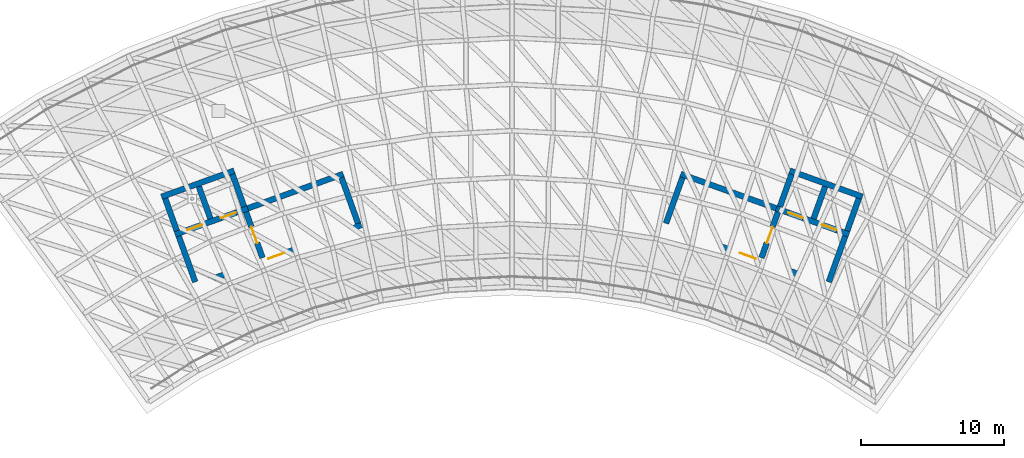
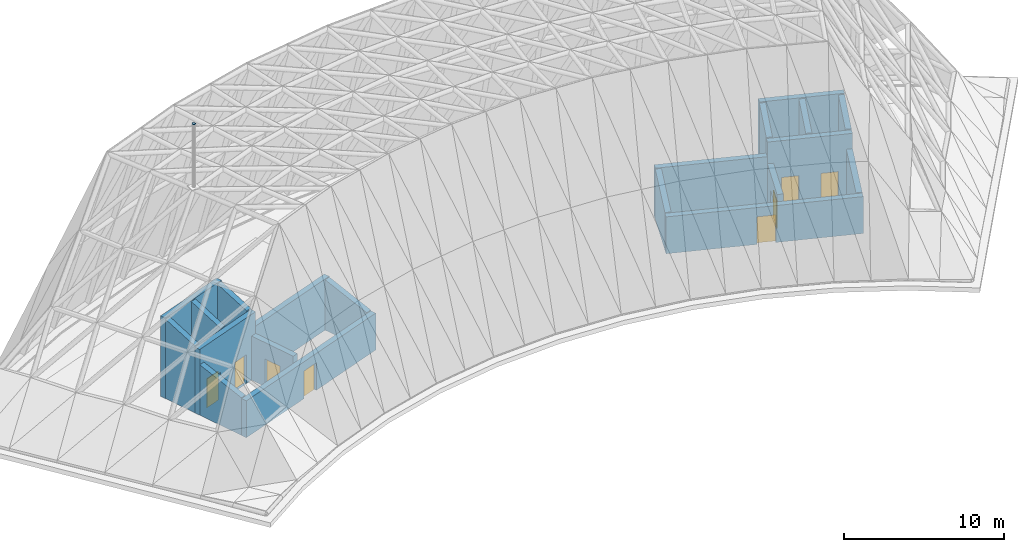
# One storey, part 20 of 20: 20 walls, 8 doors, 1 plate, 8 openings.
"""IFC4 building model written with IfcOpenShell, lengths in metres."""

from ifc_helpers import new_model, si_unit, direction, frame, frame_2d, origin, place, context, subcontext, project, spatial, polyline, rectangle, outline, extrude, material, layer, layer_set, type_object, element, fill, save


model = new_model("IFC4")

# Units and contexts
model_context = context("Model", 3, precision=1e-05, world=origin(), true_north=direction((0.0, 1.0)))
body_context = subcontext(model_context, "Body", "Model", "MODEL_VIEW")
ifc_project = project(units=[si_unit("LENGTHUNIT", "METRE"), si_unit("AREAUNIT", "SQUARE_METRE"), si_unit("VOLUMEUNIT", "CUBIC_METRE"), si_unit("PLANEANGLEUNIT", "RADIAN"), si_unit("MASSUNIT", "GRAM", prefix="KILO")], contexts=[model_context])

# Site, building, storey
site_placement = place(None, origin())
site = spatial("IfcSite", under=ifc_project, at=site_placement, CompositionType="ELEMENT")
building_placement = place(site_placement, origin())
building = spatial("IfcBuilding", under=site, at=building_placement, Name="Stone Belt Terrace Tower", CompositionType="ELEMENT")
storey_placement = place(building_placement, frame((0.0, 0.0, 337.39990234375)))
storey = spatial("IfcBuildingStorey", under=building, at=storey_placement, Name="RF", CompositionType="ELEMENT", Elevation=337.39990234375)

# Plate
ifc_material_1 = material(Name="Structural steel C345", Category="steel")
ifc_layer_1 = layer(ifc_material_1, 0.010009765625)
ifc_layer_set_1 = layer_set([ifc_layer_1], Name="Spire cap plate 10")
plate_type = type_object("IfcPlateType", Name="Spire cap plate 10", PredefinedType="SHEET", material=ifc_layer_set_1)
plate_placement = place(storey_placement, frame((0.0, 0.0, 20.16259765625)))
element("IfcPlate", 1, at=plate_placement, inside=storey, type_object=plate_type, Name="SPIRE cap plate", PredefinedType="SHEET", context=body_context, shape_type="SweptSolid", body=[
    extrude(outline(polyline([(-22.260986328125, 50.2451171875), (-22.269287109375, 50.286865234375), (-22.29296875, 50.322509765625), (-22.32861328125, 50.34619140625), (-22.37060546875, 50.3544921875), (-22.412353515625, 50.34619140625), (-22.447998046875, 50.322509765625), (-22.4716796875, 50.286865234375), (-22.47998046875, 50.2451171875), (-22.4716796875, 50.203125), (-22.447998046875, 50.16748046875), (-22.412353515625, 50.143798828125), (-22.37060546875, 50.135498046875), (-22.32861328125, 50.143798828125), (-22.29296875, 50.16748046875), (-22.269287109375, 50.203125), (-22.260986328125, 50.2451171875)])), origin(), (0.0, 0.0, 1.0), 0.010009765625),
])

# Wall, openings, doors
ifc_material_2 = material(Name="Concrete B80", Category="concrete")
ifc_layer_2 = layer(ifc_material_2, 0.39990234375)
ifc_layer_set_2 = layer_set([ifc_layer_2], Name="Fire-fighting lift shaft wall 400")
wall_type_1 = type_object("IfcWallType", Name="Fire-fighting lift shaft wall 400", PredefinedType="SHEAR", material=ifc_layer_set_2)
wall_1_placement = place(storey_placement, frame((-23.558837890625, 47.742919921875, 0.0), z_axis=(0.0, 0.0, 1.0), x_axis=(0.940920834877, 0.338626612206, 0.0)))
wall_1 = element("IfcWall", 2, at=wall_1_placement, inside=storey, type_object=wall_type_1, Name="Fire-fighting shaft A wall", PredefinedType="SHEAR", context=body_context, shape_type="SweptSolid", body=[
    extrude(rectangle(XDim=5.400146484375, YDim=0.39990234375, at=frame_2d((2.7001953125, 0.0))), origin(), (0.0, 0.0, 1.0), 5.0),
])
opening_1_placement = place(wall_1_placement, frame((0.89990234375, 0.0, 0.0)))
opening_1 = element("IfcOpeningElement", 3, at=opening_1_placement, cuts=wall_1, Name="Opening RF-LD01", PredefinedType="OPENING", context=body_context, shape_type="SweptSolid", body=[
    extrude(rectangle(XDim=1.10009765625, YDim=2.199951171875, at=frame_2d((0.550048828125, 1.10009765625))), frame((0.0, 0.2099609375, 0.0), z_axis=(0.0, -1.0, 0.0), x_axis=(1.0, 0.0, 0.0)), (0.0, 0.0, 1.0), 0.419921875),
])
opening_2_placement = place(wall_1_placement, frame((3.39990234375, 0.0, 0.0)))
opening_2 = element("IfcOpeningElement", 4, at=opening_2_placement, cuts=wall_1, Name="Opening RF-LD02", PredefinedType="OPENING", context=body_context, shape_type="SweptSolid", body=[
    extrude(rectangle(XDim=1.10009765625, YDim=2.199951171875, at=frame_2d((0.550048828125, 1.10009765625))), frame((0.0, 0.2099609375, 0.0), z_axis=(0.0, -1.0, 0.0), x_axis=(1.0, 0.0, 0.0)), (0.0, 0.0, 1.0), 0.419921875),
])
ifc_material_3 = material(Name="Stainless steel door leaf", Category="steel")
door_type_1 = type_object("IfcDoorType", Name="Landing door 1100", OperationType="SLIDING_TO_LEFT", PredefinedType="DOOR", material=ifc_material_3)
door_1_placement = place(opening_1_placement, origin())
door_1 = element("IfcDoor", 5, at=door_1_placement, inside=storey, type_object=door_type_1, Name="Landing door FF1 core A", OperationType="SLIDING_TO_LEFT", OverallHeight=2.199951171875, OverallWidth=1.10009765625, PredefinedType="DOOR", context=body_context, shape_type="SweptSolid", body=[
    extrude(rectangle(XDim=1.10009765625, YDim=2.199951171875, at=frame_2d((0.550048828125, 1.10009765625))), frame((0.0, 0.02490234375, 0.0), z_axis=(0.0, -1.0, 0.0), x_axis=(1.0, 0.0, 0.0)), (0.0, 0.0, 1.0), 0.050048828125),
])
fill(opening_1, door_1)
door_2_placement = place(opening_2_placement, origin())
door_2 = element("IfcDoor", 6, at=door_2_placement, inside=storey, type_object=door_type_1, Name="Landing door FF2 core A", OperationType="SLIDING_TO_LEFT", OverallHeight=2.199951171875, OverallWidth=1.10009765625, PredefinedType="DOOR", context=body_context, shape_type="SweptSolid", body=[
    extrude(rectangle(XDim=1.10009765625, YDim=2.199951171875, at=frame_2d((0.550048828125, 1.10009765625))), frame((0.0, 0.02490234375, 0.0), z_axis=(0.0, -1.0, 0.0), x_axis=(1.0, 0.0, 0.0)), (0.0, 0.0, 1.0), 0.050048828125),
])
fill(opening_2, door_2)

# Walls
wall_2_placement = place(storey_placement, frame((-24.5068359375, 50.377685546875, 0.0), z_axis=(0.0, 0.0, 1.0), x_axis=(0.940920834877, 0.338626612206, 0.0)))
element("IfcWall", 7, at=wall_2_placement, inside=storey, type_object=wall_type_1, Name="Fire-fighting shaft A wall", PredefinedType="SHEAR", context=body_context, shape_type="SweptSolid", body=[
    extrude(rectangle(XDim=5.400146484375, YDim=0.39990234375, at=frame_2d((2.7001953125, 0.0))), origin(), (0.0, 0.0, 1.0), 6.1201171875),
])
for number, where, z_axis, x_axis, name in (
    (8, (-23.25, 48.066650390625, 0.0), (0.940919825745, 0.338629416206, 0.0), (-0.338629416206, 0.940919825745, 0.0), "Fire-fighting shaft A wall"),
    (9, (-20.897705078125, 48.9130859375, 0.0), (0.940919825745, 0.338629416206, 0.0), (-0.338629416206, 0.940919825745, 0.0), "Fire-fighting shaft A wall"),
    (10, (-18.54541015625, 49.759765625, 0.0), (0.940919825745, 0.338629416206, 0.0), (-0.338629416206, 0.940919825745, 0.0), "Fire-fighting shaft A wall"),
):
    element("IfcWall", number, at=place(storey_placement, frame(where, z_axis=z_axis, x_axis=x_axis)), inside=storey, type_object=wall_type_1, Name=name, PredefinedType="SHEAR", context=body_context, shape_type="SweptSolid", body=[
        extrude(outline(polyline([(0.0, 0.0), (2.4000990514382172, 0.0), (2.4000990514382172, 6.0400390625), (0.0, 5.080078125), (0.0, 0.0)])), origin(), (0.0, 0.0, -1.0), 0.39990234375),
    ])

# Wall, openings, doors
wall_3_placement = place(storey_placement, frame((23.558837890625, 47.742919921875, 0.0), z_axis=(0.0, 0.0, 1.0), x_axis=(-0.940920834877, 0.338626612206, 0.0)))
wall_3 = element("IfcWall", 11, at=wall_3_placement, inside=storey, type_object=wall_type_1, Name="Fire-fighting shaft B wall", PredefinedType="SHEAR", context=body_context, shape_type="SweptSolid", body=[
    extrude(rectangle(XDim=5.400146484375, YDim=0.39990234375, at=frame_2d((2.7001953125, 0.0))), origin(), (0.0, 0.0, 1.0), 5.0),
])
opening_3_placement = place(wall_3_placement, frame((0.89990234375, 0.0, 0.0)))
opening_3 = element("IfcOpeningElement", 12, at=opening_3_placement, cuts=wall_3, Name="Opening RF-LD03", PredefinedType="OPENING", context=body_context, shape_type="SweptSolid", body=[
    extrude(rectangle(XDim=1.10009765625, YDim=2.199951171875, at=frame_2d((0.550048828125, 1.10009765625))), frame((0.0, 0.2099609375, 0.0), z_axis=(0.0, -1.0, 0.0), x_axis=(1.0, 0.0, 0.0)), (0.0, 0.0, 1.0), 0.419921875),
])
opening_4_placement = place(wall_3_placement, frame((3.39990234375, 0.0, 0.0)))
opening_4 = element("IfcOpeningElement", 13, at=opening_4_placement, cuts=wall_3, Name="Opening RF-LD04", PredefinedType="OPENING", context=body_context, shape_type="SweptSolid", body=[
    extrude(rectangle(XDim=1.10009765625, YDim=2.199951171875, at=frame_2d((0.550048828125, 1.10009765625))), frame((0.0, 0.2099609375, 0.0), z_axis=(0.0, -1.0, 0.0), x_axis=(1.0, 0.0, 0.0)), (0.0, 0.0, 1.0), 0.419921875),
])
door_3_placement = place(opening_3_placement, origin())
door_3 = element("IfcDoor", 14, at=door_3_placement, inside=storey, type_object=door_type_1, Name="Landing door FF1 core B", OperationType="SLIDING_TO_LEFT", OverallHeight=2.199951171875, OverallWidth=1.10009765625, PredefinedType="DOOR", context=body_context, shape_type="SweptSolid", body=[
    extrude(rectangle(XDim=1.10009765625, YDim=2.199951171875, at=frame_2d((0.550048828125, 1.10009765625))), frame((0.0, 0.02490234375, 0.0), z_axis=(0.0, -1.0, 0.0), x_axis=(1.0, 0.0, 0.0)), (0.0, 0.0, 1.0), 0.050048828125),
])
fill(opening_3, door_3)
door_4_placement = place(opening_4_placement, origin())
door_4 = element("IfcDoor", 15, at=door_4_placement, inside=storey, type_object=door_type_1, Name="Landing door FF2 core B", OperationType="SLIDING_TO_LEFT", OverallHeight=2.199951171875, OverallWidth=1.10009765625, PredefinedType="DOOR", context=body_context, shape_type="SweptSolid", body=[
    extrude(rectangle(XDim=1.10009765625, YDim=2.199951171875, at=frame_2d((0.550048828125, 1.10009765625))), frame((0.0, 0.02490234375, 0.0), z_axis=(0.0, -1.0, 0.0), x_axis=(1.0, 0.0, 0.0)), (0.0, 0.0, 1.0), 0.050048828125),
])
fill(opening_4, door_4)

# Walls
wall_4_placement = place(storey_placement, frame((24.5068359375, 50.377685546875, 0.0), z_axis=(0.0, 0.0, 1.0), x_axis=(-0.940920834877, 0.338626612206, 0.0)))
element("IfcWall", 16, at=wall_4_placement, inside=storey, type_object=wall_type_1, Name="Fire-fighting shaft B wall", PredefinedType="SHEAR", context=body_context, shape_type="SweptSolid", body=[
    extrude(rectangle(XDim=5.400146484375, YDim=0.39990234375, at=frame_2d((2.7001953125, 0.0))), origin(), (0.0, 0.0, 1.0), 6.1201171875),
])
for number, where, z_axis, x_axis, name in (
    (17, (23.25, 48.066650390625, 5.080078125), (-0.940919825745, 0.338629416206, 0.0), (0.314413073975, 0.873632001884, 0.371364435828), "Fire-fighting shaft B wall"),
    (18, (20.897705078125, 48.9130859375, 5.080078125), (-0.940919825745, 0.338629416206, 0.0), (0.314413073975, 0.873632001884, 0.371364435828), "Fire-fighting shaft B wall"),
    (19, (18.54541015625, 49.759765625, 5.080078125), (-0.940919825745, 0.338629416206, 0.0), (0.314413073975, 0.873632001884, 0.371364435828), "Fire-fighting shaft B wall"),
):
    element("IfcWall", number, at=place(storey_placement, frame(where, z_axis=z_axis, x_axis=x_axis)), inside=storey, type_object=wall_type_1, Name=name, PredefinedType="SHEAR", context=body_context, shape_type="SweptSolid", body=[
        extrude(outline(polyline([(0.0, 0.0), (2.5849565679601874, 0.0), (0.3419008691367693, 5.608098876491183), (-1.8865603468519676, 4.7167874463229), (0.0, 0.0)])), origin(), (0.0, 0.0, -1.0), 0.39990234375),
    ])

# Wall, opening, door
ifc_layer_3 = layer(ifc_material_2, 0.39990234375)
ifc_layer_set_3 = layer_set([ifc_layer_3], Name="Stair enclosure wall 400")
wall_type_2 = type_object("IfcWallType", Name="Stair enclosure wall 400", PredefinedType="SHEAR", material=ifc_layer_set_3)
wall_5_placement = place(storey_placement, frame((-22.27197265625, 44.16748046875, 0.0), z_axis=(0.0, 0.0, 1.0), x_axis=(0.940918530658, 0.338633014729, 0.0)))
wall_5 = element("IfcWall", 20, at=wall_5_placement, inside=storey, type_object=wall_type_2, Name="Roof lobby A wall", PredefinedType="SHEAR", context=body_context, shape_type="SweptSolid", body=[
    extrude(rectangle(XDim=12.5, YDim=0.39990234375, at=frame_2d((6.25, 0.0))), origin(), (0.0, 0.0, 1.0), 2.80712890625),
])
opening_5_placement = place(wall_5_placement, frame((5.550048828125, 0.0, 0.0)))
opening_5 = element("IfcOpeningElement", 21, at=opening_5_placement, cuts=wall_5, Name="Opening RF-C01", PredefinedType="OPENING", context=body_context, shape_type="SweptSolid", body=[
    extrude(rectangle(XDim=1.199951171875, YDim=2.10009765625, at=frame_2d((0.60009765625, 1.050048828125))), frame((0.0, 0.2099609375, 0.0), z_axis=(0.0, -1.0, 0.0), x_axis=(1.0, 0.0, 0.0)), (0.0, 0.0, 1.0), 0.419921875),
])
ifc_material_4 = material(Name="Steel door leaf", Category="steel")
door_type_2 = type_object("IfcDoorType", Name="Stair door 1200", OperationType="SINGLE_SWING_LEFT", PredefinedType="DOOR", material=ifc_material_4)
door_5_placement = place(opening_5_placement, origin())
door_5 = element("IfcDoor", 22, at=door_5_placement, inside=storey, type_object=door_type_2, Name="Stair 2 exit door onto the roof core A", OperationType="SINGLE_SWING_RIGHT", OverallHeight=2.10009765625, OverallWidth=1.199951171875, PredefinedType="DOOR", context=body_context, shape_type="SweptSolid", body=[
    extrude(rectangle(XDim=1.199951171875, YDim=2.10009765625, at=frame_2d((0.60009765625, 1.050048828125))), frame((0.0, 0.02490234375, 0.0), z_axis=(0.0, -1.0, 0.0), x_axis=(1.0, 0.0, 0.0)), (0.0, 0.0, 1.0), 0.050048828125),
])
fill(opening_5, door_5)

# Walls
wall_6_placement = place(storey_placement, frame((-18.477783203125, 49.571533203125, 0.0), z_axis=(0.0, 0.0, 1.0), x_axis=(0.94092072117, 0.338626928157, 0.0)))
element("IfcWall", 23, at=wall_6_placement, inside=storey, type_object=wall_type_2, Name="Roof lobby A wall", PredefinedType="SHEAR", context=body_context, shape_type="SweptSolid", body=[
    extrude(rectangle(XDim=7.10009765625, YDim=0.39990234375, at=frame_2d((3.550048828125, 0.0))), origin(), (0.0, 0.0, 1.0), 3.89306640625),
])
wall_7_placement = place(storey_placement, frame((-21.96337890625, 44.4912109375, 0.0), z_axis=(0.940912125461, 0.338650811545, 0.0), x_axis=(-0.338650811545, 0.940912125461, 0.0)))
element("IfcWall", 24, at=wall_7_placement, inside=storey, type_object=wall_type_2, Name="Roof lobby A wall", PredefinedType="SHEAR", context=body_context, shape_type="SweptSolid", body=[
    extrude(outline(polyline([(0.0, 0.0), (3.3998654314366026, 0.0), (3.3998654314366026, 3.835693359375001), (0.0, 2.8645019531250004), (0.0, 0.0)])), origin(), (0.0, 0.0, -1.0), 0.39990234375),
])
wall_8_placement = place(storey_placement, frame((-10.578125, 48.58837890625, 0.0), z_axis=(0.940920359986, 0.338627931753, 0.0), x_axis=(-0.338627931753, 0.940920359986, 0.0)))
element("IfcWall", 25, at=wall_8_placement, inside=storey, type_object=wall_type_2, Name="Roof lobby A wall", PredefinedType="SHEAR", context=body_context, shape_type="SweptSolid", body=[
    extrude(outline(polyline([(0.0, 0.0), (3.4000951473162075, 0.0), (3.4000951473162075, 3.8356933593749996), (0.0, 2.8645019531249996), (0.0, 0.0)])), origin(), (0.0, 0.0, -1.0), 0.39990234375),
])

# Wall, opening, door
wall_9_placement = place(storey_placement, frame((-17.447021484375, 46.116455078125, 0.0), z_axis=(0.0, 0.0, 1.0), x_axis=(-0.338564359068, 0.940943236741, 0.0)))
wall_9 = element("IfcWall", 26, at=wall_9_placement, inside=storey, type_object=wall_type_2, Name="Roof stair A wall", PredefinedType="SHEAR", context=body_context, shape_type="SweptSolid", body=[
    extrude(rectangle(XDim=3.39990234375, YDim=0.39990234375, at=frame_2d((1.699951171875, 0.0))), origin(), (0.0, 0.0, 1.0), 3.35009765625),
])
opening_6_placement = place(wall_9_placement, frame((1.10009765625, 0.0, 0.0)))
opening_6 = element("IfcOpeningElement", 27, at=opening_6_placement, cuts=wall_9, Name="Opening RF-S01", PredefinedType="OPENING", context=body_context, shape_type="SweptSolid", body=[
    extrude(rectangle(XDim=1.199951171875, YDim=2.10009765625, at=frame_2d((0.60009765625, 1.050048828125))), frame((0.0, 0.2099609375, 0.0), z_axis=(0.0, -1.0, 0.0), x_axis=(1.0, 0.0, 0.0)), (0.0, 0.0, 1.0), 0.419921875),
])
door_6_placement = place(opening_6_placement, origin())
door_6 = element("IfcDoor", 28, at=door_6_placement, inside=storey, type_object=door_type_2, Name="Stair 2 door core A", OperationType="SINGLE_SWING_LEFT", OverallHeight=2.10009765625, OverallWidth=1.199951171875, PredefinedType="DOOR", context=body_context, shape_type="SweptSolid", body=[
    extrude(rectangle(XDim=1.199951171875, YDim=2.10009765625, at=frame_2d((0.60009765625, 1.050048828125))), frame((0.0, 0.02490234375, 0.0), z_axis=(0.0, -1.0, 0.0), x_axis=(1.0, 0.0, 0.0)), (0.0, 0.0, 1.0), 0.050048828125),
])
fill(opening_6, door_6)

wall_10_placement = place(storey_placement, frame((22.27197265625, 44.16748046875, 0.0), z_axis=(0.0, 0.0, 1.0), x_axis=(-0.940918530658, 0.338633014729, 0.0)))
wall_10 = element("IfcWall", 29, at=wall_10_placement, inside=storey, type_object=wall_type_2, Name="Roof lobby B wall", PredefinedType="SHEAR", context=body_context, shape_type="SweptSolid", body=[
    extrude(rectangle(XDim=12.5, YDim=0.39990234375, at=frame_2d((6.25, 0.0))), origin(), (0.0, 0.0, 1.0), 2.80712890625),
])
opening_7_placement = place(wall_10_placement, frame((5.550048828125, 0.0, 0.0)))
opening_7 = element("IfcOpeningElement", 30, at=opening_7_placement, cuts=wall_10, Name="Opening RF-C02", PredefinedType="OPENING", context=body_context, shape_type="SweptSolid", body=[
    extrude(rectangle(XDim=1.199951171875, YDim=2.10009765625, at=frame_2d((0.60009765625, 1.050048828125))), frame((0.0, 0.2099609375, 0.0), z_axis=(0.0, -1.0, 0.0), x_axis=(1.0, 0.0, 0.0)), (0.0, 0.0, 1.0), 0.419921875),
])
door_7_placement = place(opening_7_placement, origin())
door_7 = element("IfcDoor", 31, at=door_7_placement, inside=storey, type_object=door_type_2, Name="Stair 2 exit door onto the roof core B", OperationType="SINGLE_SWING_LEFT", OverallHeight=2.10009765625, OverallWidth=1.199951171875, PredefinedType="DOOR", context=body_context, shape_type="SweptSolid", body=[
    extrude(rectangle(XDim=1.199951171875, YDim=2.10009765625, at=frame_2d((0.60009765625, 1.050048828125))), frame((0.0, 0.02490234375, 0.0), z_axis=(0.0, -1.0, 0.0), x_axis=(1.0, 0.0, 0.0)), (0.0, 0.0, 1.0), 0.050048828125),
])
fill(opening_7, door_7)

# Walls
wall_11_placement = place(storey_placement, frame((18.477783203125, 49.571533203125, 0.0), z_axis=(0.0, 0.0, 1.0), x_axis=(-0.94092072117, 0.338626928157, 0.0)))
element("IfcWall", 32, at=wall_11_placement, inside=storey, type_object=wall_type_2, Name="Roof lobby B wall", PredefinedType="SHEAR", context=body_context, shape_type="SweptSolid", body=[
    extrude(rectangle(XDim=7.10009765625, YDim=0.39990234375, at=frame_2d((3.550048828125, 0.0))), origin(), (0.0, 0.0, 1.0), 3.89306640625),
])
wall_12_placement = place(storey_placement, frame((21.96337890625, 44.4912109375, 2.864501953125), z_axis=(-0.940912125461, 0.338650811545, 0.0), x_axis=(0.325625892125, 0.904723508166, 0.274669168548)))
element("IfcWall", 33, at=wall_12_placement, inside=storey, type_object=wall_type_2, Name="Roof lobby B wall", PredefinedType="SHEAR", context=body_context, shape_type="SweptSolid", body=[
    extrude(outline(polyline([(0.0, 0.0), (3.5358588347742965, 1.1102230246251565e-16), (2.4823121289502836, 3.6881679579163484), (-0.7867903697685154, 2.754329746689104), (0.0, 0.0)])), origin(), (0.0, 0.0, -1.0), 0.39990234375),
])
wall_13_placement = place(storey_placement, frame((10.578125, 48.58837890625, 2.864501953125), z_axis=(-0.940920359986, 0.338627931753, 0.0), x_axis=(0.325605551897, 0.904736037331, 0.274652011333)))
element("IfcWall", 34, at=wall_13_placement, inside=storey, type_object=wall_type_2, Name="Roof lobby B wall", PredefinedType="SHEAR", context=body_context, shape_type="SweptSolid", body=[
    extrude(outline(polyline([(0.0, 0.0), (3.5360797160665194, -1.1102230246251565e-16), (2.482598820059164, 3.6881867562395767), (-0.7867412228918786, 2.754343785307043), (0.0, 0.0)])), origin(), (0.0, 0.0, -1.0), 0.39990234375),
])

# Wall, opening, door
wall_14_placement = place(storey_placement, frame((17.447021484375, 46.116455078125, 0.0), z_axis=(0.0, 0.0, 1.0), x_axis=(0.338564359068, 0.940943236741, 0.0)))
wall_14 = element("IfcWall", 35, at=wall_14_placement, inside=storey, type_object=wall_type_2, Name="Roof stair B wall", PredefinedType="SHEAR", context=body_context, shape_type="SweptSolid", body=[
    extrude(rectangle(XDim=3.39990234375, YDim=0.39990234375, at=frame_2d((1.699951171875, 0.0))), origin(), (0.0, 0.0, 1.0), 3.35009765625),
])
opening_8_placement = place(wall_14_placement, frame((1.10009765625, 0.0, 0.0)))
opening_8 = element("IfcOpeningElement", 36, at=opening_8_placement, cuts=wall_14, Name="Opening RF-S02", PredefinedType="OPENING", context=body_context, shape_type="SweptSolid", body=[
    extrude(rectangle(XDim=1.199951171875, YDim=2.10009765625, at=frame_2d((0.60009765625, 1.050048828125))), frame((0.0, 0.2099609375, 0.0), z_axis=(0.0, -1.0, 0.0), x_axis=(1.0, 0.0, 0.0)), (0.0, 0.0, 1.0), 0.419921875),
])
door_8_placement = place(opening_8_placement, origin())
door_8 = element("IfcDoor", 37, at=door_8_placement, inside=storey, type_object=door_type_2, Name="Stair 2 door core B", OperationType="SINGLE_SWING_RIGHT", OverallHeight=2.10009765625, OverallWidth=1.199951171875, PredefinedType="DOOR", context=body_context, shape_type="SweptSolid", body=[
    extrude(rectangle(XDim=1.199951171875, YDim=2.10009765625, at=frame_2d((0.60009765625, 1.050048828125))), frame((0.0, 0.02490234375, 0.0), z_axis=(0.0, -1.0, 0.0), x_axis=(1.0, 0.0, 0.0)), (0.0, 0.0, 1.0), 0.050048828125),
])
fill(opening_8, door_8)

save(model, "model.ifc")
